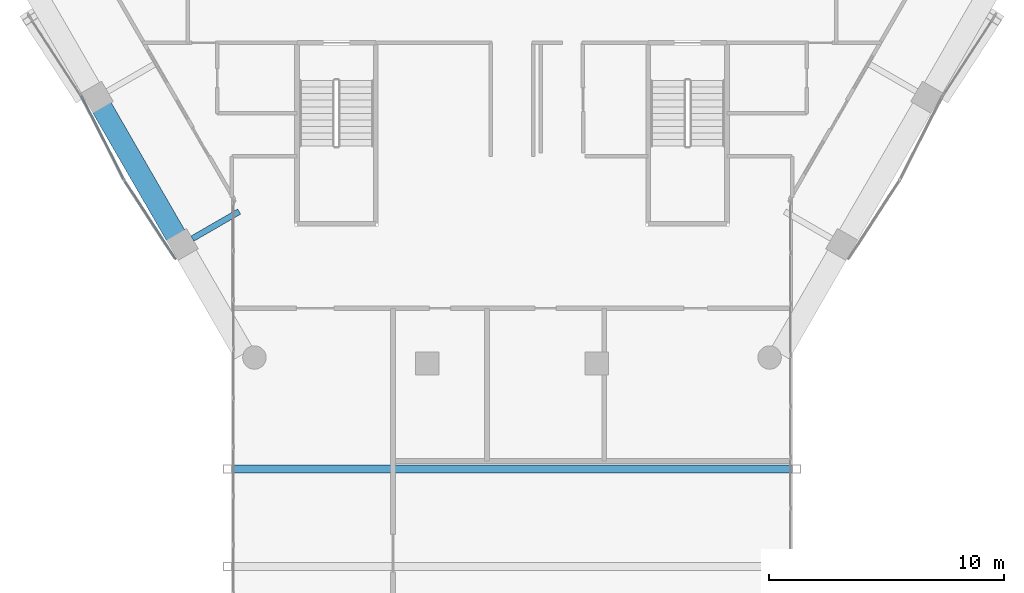
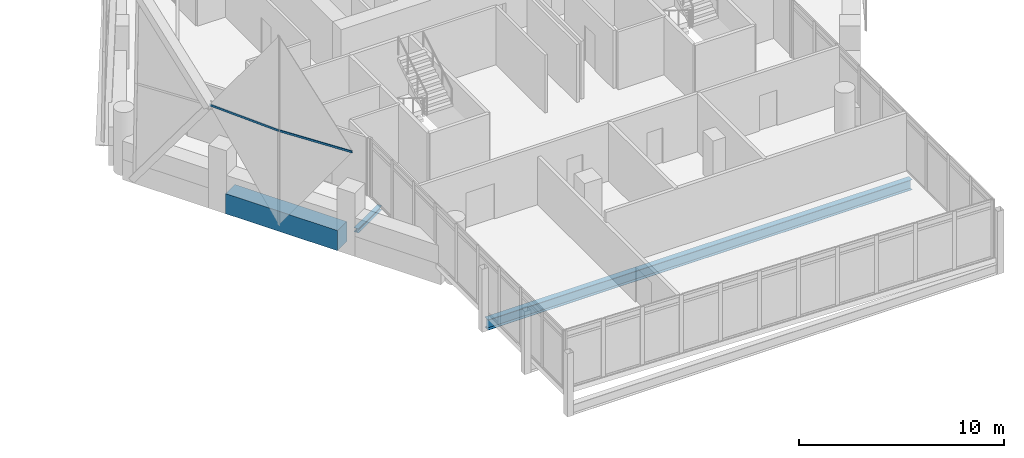
# One storey, part 8 of 37: 3 beams, 2 members, 1 element without a shape of its own.
"""IFC4 building model written with IfcOpenShell, lengths in metres."""

import ifcopenshell
import ifcopenshell.guid

model = None  # the IFC model being written
_history = None  # IfcOwnerHistory: only IFC2X3 demands one
_inside = {}  # id of a spatial element -> (the spatial element, [elements in it])
_under = {}  # id of a project, library or spatial element -> (it, [spatial elements below it])
_declared = {}  # id of a project -> (the project, [libraries it declares])
_typed = {}  # id of a type object -> (the type object, [elements of that type])
_made_of = {}  # id of a material, layer set ... -> (it, [elements and type objects made of it])


def new_model(schema):
    """Start an empty IFC model of exactly this schema.

    Asked for "IFC4X3", IfcOpenShell would pick the latest addendum, in which some entities
    have other attributes; the version numbers below select the first issue.
    IFC2X3 requires an IfcOwnerHistory on every rooted entity: one is made here for all.
    """
    global model, _history
    if schema == "IFC4X3":
        model = ifcopenshell.file(schema_version=(4, 3, 0, 0))
    else:
        model = ifcopenshell.file(schema=schema)
    _inside.clear()
    _under.clear()
    _declared.clear()
    _typed.clear()
    _made_of.clear()
    _history = None
    if model.schema == "IFC2X3":
        org = make("IfcOrganization", Name="unknown")
        user = make(
            "IfcPersonAndOrganization",
            ThePerson=make("IfcPerson", FamilyName="unknown"),
            TheOrganization=org,
        )
        app = make(
            "IfcApplication",
            ApplicationDeveloper=org,
            Version="unknown",
            ApplicationFullName="unknown",
            ApplicationIdentifier="unknown",
        )
        _history = make(
            "IfcOwnerHistory",
            OwningUser=user,
            OwningApplication=app,
            ChangeAction="ADDED",
            CreationDate=0,
        )
    return model


def make(cls, **values):
    """One entity of the class cls with the attributes given. An attribute that is None is left unset."""
    return model.create_entity(
        cls, **{name: value for name, value in values.items() if value is not None}
    )


def rooted(cls, **values):
    """An entity with a GlobalId (a new one), such as an element, a storey or a relation."""
    return make(cls, GlobalId=ifcopenshell.guid.new(), OwnerHistory=_history, **values)


def si_unit(unit_type, name, prefix=None):
    """IfcSIUnit, for example si_unit("LENGTHUNIT", "METRE", prefix="MILLI")."""
    return make("IfcSIUnit", UnitType=unit_type, Prefix=prefix, Name=name)


def assignment(units):
    """IfcUnitAssignment: the units of a project."""
    return None if units is None else make("IfcUnitAssignment", Units=units)


def point(xyz):
    """IfcCartesianPoint."""
    return None if xyz is None else make("IfcCartesianPoint", Coordinates=xyz)


def direction(xyz):
    """IfcDirection."""
    return None if xyz is None else make("IfcDirection", DirectionRatios=xyz)


def frame(location, z_axis=None, x_axis=None):
    """IfcAxis2Placement3D, a coordinate frame: its origin and axes. An axis left out is left unset."""
    return make(
        "IfcAxis2Placement3D",
        Location=point(location),
        Axis=direction(z_axis),
        RefDirection=direction(x_axis),
    )


def frame_2d(location, x_axis=None):
    """IfcAxis2Placement2D, a coordinate frame in the plane: its origin and x axis."""
    return make(
        "IfcAxis2Placement2D", Location=point(location), RefDirection=direction(x_axis)
    )


def origin():
    """The frame at (0, 0, 0) with its axes left unset."""
    return frame((0.0, 0.0, 0.0))


def origin_2d():
    """The frame at (0, 0) in the plane with its x axis left unset."""
    return frame_2d((0.0, 0.0))


def place(relative_to, where):
    """IfcLocalPlacement: puts the frame where relative to a parent placement (None: the world)."""
    return make(
        "IfcLocalPlacement", PlacementRelTo=relative_to, RelativePlacement=where
    )


def context(
    kind, dimensions, precision=None, world=None, true_north=None, identifier=None
):
    """IfcGeometricRepresentationContext, for example the 3D "Model" context."""
    return make(
        "IfcGeometricRepresentationContext",
        ContextIdentifier=identifier,
        ContextType=kind,
        CoordinateSpaceDimension=dimensions,
        Precision=precision,
        WorldCoordinateSystem=world,
        TrueNorth=true_north,
    )


def subcontext(parent, identifier, kind, view, scale=None):
    """IfcGeometricRepresentationSubContext, for example "Body" below "Model"."""
    return make(
        "IfcGeometricRepresentationSubContext",
        ContextIdentifier=identifier,
        ContextType=kind,
        ParentContext=parent,
        TargetScale=scale,
        TargetView=view,
    )


def project(units=None, contexts=None):
    """IfcProject with its units and contexts."""
    return rooted(
        "IfcProject",
        Name="project",
        RepresentationContexts=contexts,
        UnitsInContext=assignment(units),
    )


def spatial(cls, under=None, at=None, **own):
    """A site, building, storey or space (cls), placed at a placement, below another one or the project."""
    s = rooted(cls, ObjectPlacement=at, **own)
    if under is not None:
        _under.setdefault(under.id(), (under, []))[1].append(s)
    return s


def profile(cls, at=None, kind="AREA", **sizes):
    """A parametric profile (cls). Its sizes go by their IFC names, for example OverallWidth=200.0."""
    return make(cls, ProfileType=kind, Position=at, **sizes)


def rectangle(**sizes):
    """IfcRectangleProfileDef."""
    return profile("IfcRectangleProfileDef", **sizes)


def hollow_rectangle(**sizes):
    """IfcRectangleHollowProfileDef."""
    return profile("IfcRectangleHollowProfileDef", **sizes)


def i_section(**sizes):
    """IfcIShapeProfileDef."""
    return profile("IfcIShapeProfileDef", **sizes)


def extrude(swept, where, along, depth):
    """IfcExtrudedAreaSolid: the profile swept, set in the frame where, extruded along a direction by depth."""
    return make(
        "IfcExtrudedAreaSolid",
        SweptArea=swept,
        Position=where,
        ExtrudedDirection=direction(along),
        Depth=depth,
    )


def shape(context_of_items, identifier, shape_type, items):
    """IfcShapeRepresentation: the items that make up one representation, for example the "Body"."""
    return make(
        "IfcShapeRepresentation",
        ContextOfItems=context_of_items,
        RepresentationIdentifier=identifier,
        RepresentationType=shape_type,
        Items=items,
    )


def material(Name=None, Category=None):
    """IfcMaterial."""
    return make("IfcMaterial", Name=Name, Category=Category)


def material_profile(
    of_material, cross_section, Name=None, Category=None, Priority=None
):
    """IfcMaterialProfile: a cross section and its material."""
    return make(
        "IfcMaterialProfile",
        Name=Name,
        Material=of_material,
        Profile=cross_section,
        Priority=Priority,
        Category=Category,
    )


def profile_set(profiles, Name=None, composite=None):
    """IfcMaterialProfileSet."""
    return make(
        "IfcMaterialProfileSet",
        Name=Name,
        MaterialProfiles=profiles,
        CompositeProfile=composite,
    )


def made_of(thing, what):
    """Note that an element or type object is made of a material, layer set ...; save() writes the relation."""
    if what is not None:
        _made_of.setdefault(what.id(), (what, []))[1].append(thing)
    return thing


def type_object(cls, material=None, **own):
    """A type object (cls), such as IfcWallType, which elements share."""
    return made_of(rooted(cls, **own), material)


def element(
    cls,
    number,
    at=None,
    inside=None,
    cuts=None,
    type_object=None,
    material=None,
    context=None,
    identifier="Body",
    shape_type=None,
    held_by="IfcProductDefinitionShape",
    body=None,
    shapes=None,
    **own,
):
    """One element of the class cls, such as IfcWall. Its Tag is "e" and its number.

    at: its placement. inside: the storey or other place that contains it. cuts: it is an
    opening in that element (IfcRelVoidsElement). A single representation is given by context,
    identifier, shape_type and body (its items); several are given by shapes. held_by: the class
    of the entity that holds the representations. save() writes the other relations.
    """
    e = rooted(cls, Tag="e%d" % number, ObjectPlacement=at, **own)
    if body is not None:
        shapes = [shape(context, identifier, shape_type, body)]
    if shapes is not None:
        e.Representation = make(held_by, Representations=shapes)
    if inside is not None:
        _inside.setdefault(inside.id(), (inside, []))[1].append(e)
    if cuts is not None:
        rooted(
            "IfcRelVoidsElement", RelatingBuildingElement=cuts, RelatedOpeningElement=e
        )
    if type_object is not None:
        _typed.setdefault(type_object.id(), (type_object, []))[1].append(e)
    return made_of(e, material)


def aggregate(whole, parts):
    """IfcRelAggregates: a whole, such as a stair, and the parts it consists of."""
    return rooted("IfcRelAggregates", RelatingObject=whole, RelatedObjects=parts)


def save(model, path):
    """Write the relations noted so far, then the file.

    IfcRelAggregates (storeys below a building ...), IfcRelContainedInSpatialStructure (elements
    in a storey), IfcRelDefinesByType, IfcRelAssociatesMaterial and IfcRelDeclares: one each for
    every whole, place, type object, material and project.
    """
    for whole, parts in _under.values():
        aggregate(whole, parts)
    for where, things in _inside.values():
        rooted(
            "IfcRelContainedInSpatialStructure",
            RelatedElements=things,
            RelatingStructure=where,
        )
    for kind, things in _typed.values():
        rooted("IfcRelDefinesByType", RelatedObjects=things, RelatingType=kind)
    for what, things in _made_of.values():
        rooted("IfcRelAssociatesMaterial", RelatedObjects=things, RelatingMaterial=what)
    for by, libraries in _declared.values():
        rooted("IfcRelDeclares", RelatingContext=by, RelatedDefinitions=libraries)
    model.write(path)


model = new_model("IFC4")

# Units and contexts
model_context = context("Model", 3, precision=1e-05, world=origin(), true_north=direction((0.0, 1.0)))
body_context = subcontext(model_context, "Body", "Model", "MODEL_VIEW")
ifc_project = project(units=[si_unit("LENGTHUNIT", "METRE"), si_unit("AREAUNIT", "SQUARE_METRE"), si_unit("VOLUMEUNIT", "CUBIC_METRE"), si_unit("PLANEANGLEUNIT", "RADIAN"), si_unit("MASSUNIT", "GRAM", prefix="KILO")], contexts=[model_context])

# Site, building, storey
site_placement = place(None, origin())
site = spatial("IfcSite", under=ifc_project, at=site_placement, CompositionType="ELEMENT")
building_placement = place(site_placement, origin())
building = spatial("IfcBuilding", under=site, at=building_placement, Name="Ostrander Bayou Hotel Tower", CompositionType="ELEMENT")
storey_placement = place(building_placement, frame((0.0, 0.0, 198.25)))
storey = spatial("IfcBuildingStorey", under=building, at=storey_placement, Name="L49", CompositionType="ELEMENT", Elevation=198.25)

# Curtain wall, members
ifc_material_1 = material(Name="Aluminium and clear glass", Category="aluminium")
curtain_wall_type = type_object("IfcCurtainWallType", Name="CW-LAT lattice glazing", PredefinedType="NOTDEFINED", material=ifc_material_1)
curtain_wall_placement = place(storey_placement, origin())
curtain_wall = element("IfcCurtainWall", 1, at=curtain_wall_placement, inside=storey, type_object=curtain_wall_type, Name="CW-LAT L49 SW 2", PredefinedType="NOTDEFINED")
ifc_material_2 = material(Name="Aluminium", Category="aluminium")
ifc_material_profile_1 = material_profile(ifc_material_2, hollow_rectangle(XDim=0.06005859375, YDim=0.1201171875, WallThickness=0.00390625, at=origin_2d()))
ifc_profile_set_1 = profile_set([ifc_material_profile_1], Name="Aluminium")
member_type = type_object("IfcMemberType", Name="CW-LA transom 60 x 120 mm", PredefinedType="USERDEFINED", material=ifc_profile_set_1)
member_1_placement = place(storey_placement, frame((-16.51513671875, -9.534912109375, 5.02490234375), z_axis=(-0.453470787229, 0.891271140075, 0.0), x_axis=(-0.891271140075, -0.453470787229, 0.0)))
member_1 = element("IfcMember", 2, at=member_1_placement, type_object=member_type, Name="CW-LAT transom 6", ObjectType="TRANSOM", PredefinedType="USERDEFINED", context=body_context, shape_type="SweptSolid", body=[
    extrude(hollow_rectangle(XDim=0.06005859375, YDim=0.1201171875, WallThickness=0.00390625, at=origin_2d()), origin(), (0.0, 0.0, 1.0), 4.01953125),
])
member_2_placement = place(storey_placement, frame((-16.51513671875, -9.534912109375, 5.02490234375), z_axis=(0.545161258871, -0.838331200556, 0.0), x_axis=(0.838331200556, 0.545161258871, 0.0)))
member_2 = element("IfcMember", 3, at=member_2_placement, type_object=member_type, Name="CW-LAT transom 7", ObjectType="TRANSOM", PredefinedType="USERDEFINED", context=body_context, shape_type="SweptSolid", body=[
    extrude(hollow_rectangle(XDim=0.06005859375, YDim=0.1201171875, WallThickness=0.00390625, at=origin_2d()), origin(), (0.0, 0.0, 1.0), 4.019775390625),
])
aggregate(curtain_wall, [member_1, member_2])

# Beams
ifc_material_3 = material(Name="Steel ASTM A992", Category="steel")
ifc_material_profile_2 = material_profile(ifc_material_3, i_section(OverallWidth=0.25390625, OverallDepth=0.25341796875, WebThickness=0.008544921875, FlangeThickness=0.01416015625, at=origin_2d()))
ifc_profile_set_2 = profile_set([ifc_material_profile_2], Name="Steel ASTM A992")
beam_type_1 = type_object("IfcBeamType", Name="LB2 loggia bracket W10x49", PredefinedType="BEAM", material=ifc_profile_set_2)
beam_1_placement = place(storey_placement, frame((-13.606201171875, -12.033203125, -0.4267578125), z_axis=(0.86602648383, 0.499998129301, 0.0), x_axis=(-0.499998129301, 0.86602648383, 0.0)))
element("IfcBeam", 4, at=beam_1_placement, inside=storey, type_object=beam_type_1, Name="LB2 L49 SW2", PredefinedType="BEAM", context=body_context, shape_type="SweptSolid", body=[
    extrude(i_section(OverallWidth=0.25390625, OverallDepth=0.25341796875, WebThickness=0.008544921875, FlangeThickness=0.01416015625, at=origin_2d()), origin(), (0.0, 0.0, 1.0), 2.2998046875),
])
ifc_material_4 = material(Name="Concrete f'c 60 MPa", Category="concrete")
ifc_material_profile_3 = material_profile(ifc_material_4, rectangle(XDim=0.89990234375, YDim=1.199951171875, at=origin_2d()))
ifc_profile_set_3 = profile_set([ifc_material_profile_3], Name="Concrete f'c 60 MPa")
beam_type_2 = type_object("IfcBeamType", Name="SP3 spandrel beam 900 x 1200 mm f'c 60 MPa", PredefinedType="SPANDREL", material=ifc_profile_set_3)
beam_2_placement = place(storey_placement, frame((-17.465576171875, -6.44873046875, -0.60009765625), z_axis=(0.500013351051, -0.866017695414, 0.0), x_axis=(0.866017695414, 0.500013351051, 0.0)))
element("IfcBeam", 5, at=beam_2_placement, inside=storey, type_object=beam_type_2, Name="SP3 L49 SW-2", PredefinedType="SPANDREL", context=body_context, shape_type="SweptSolid", body=[
    extrude(rectangle(XDim=0.89990234375, YDim=1.199951171875, at=origin_2d()), origin(), (0.0, 0.0, 1.0), 6.296142578125),
])
ifc_material_5 = material(Name="Steel ASTM A992", Category="steel")
ifc_material_profile_4 = material_profile(ifc_material_5, i_section(OverallWidth=0.32373046875, OverallDepth=0.611083984375, WebThickness=0.0126953125, FlangeThickness=0.01904296875, at=origin_2d()))
ifc_profile_set_4 = profile_set([ifc_material_profile_4], Name="Steel ASTM A992")
beam_type_3 = type_object("IfcBeamType", Name="TF2 bar floor beam W24x104", PredefinedType="BEAM", material=ifc_profile_set_4)
beam_3_placement = place(storey_placement, frame((-11.93212890625, -21.840576171875, -0.605712890625), z_axis=(1.0, 0.0, 0.0), x_axis=(0.0, 1.0, 0.0)))
element("IfcBeam", 6, at=beam_3_placement, inside=storey, type_object=beam_type_3, Name="TF2 SB4S L2-1", PredefinedType="BEAM", context=body_context, shape_type="SweptSolid", body=[
    extrude(i_section(OverallWidth=0.32373046875, OverallDepth=0.611083984375, WebThickness=0.0126953125, FlangeThickness=0.01904296875, at=origin_2d()), origin(), (0.0, 0.0, 1.0), 23.8642578125),
])

save(model, "model.ifc")
